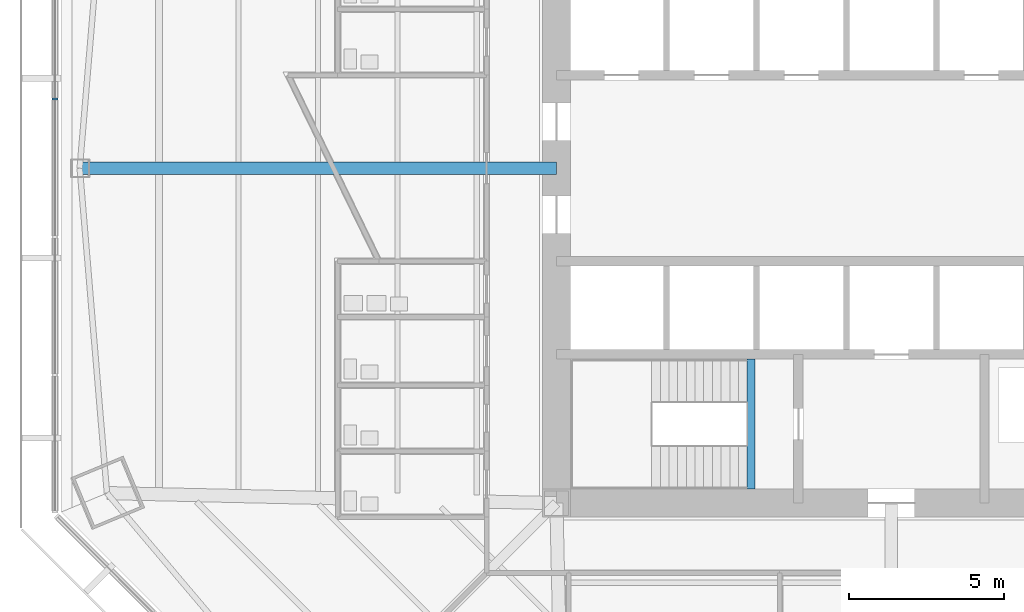
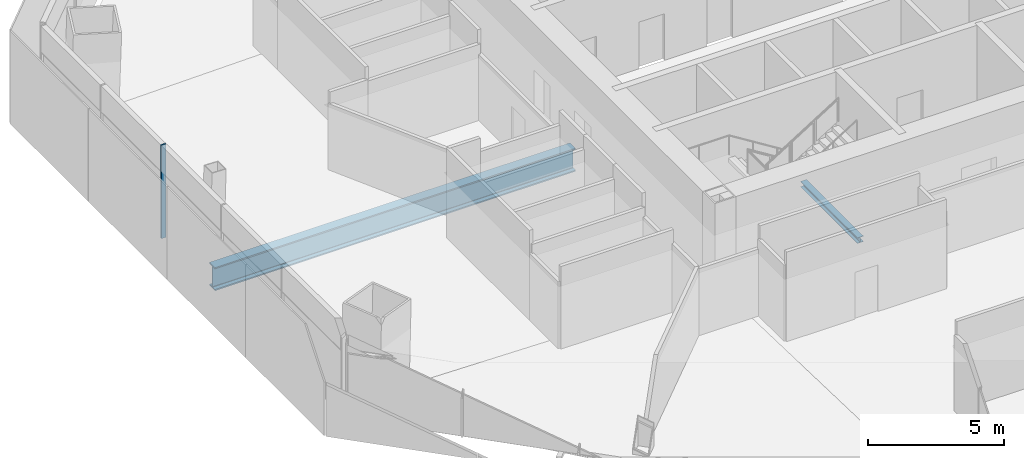
# One storey, part 3 of 15: 2 beams, 1 member, 1 element without a shape of its own.
"""IFC4 building model written with IfcOpenShell, lengths in metres."""

import ifcopenshell
import ifcopenshell.guid

model = None  # the IFC model being written
_history = None  # IfcOwnerHistory: only IFC2X3 demands one
_inside = {}  # id of a spatial element -> (the spatial element, [elements in it])
_under = {}  # id of a project, library or spatial element -> (it, [spatial elements below it])
_declared = {}  # id of a project -> (the project, [libraries it declares])
_typed = {}  # id of a type object -> (the type object, [elements of that type])
_made_of = {}  # id of a material, layer set ... -> (it, [elements and type objects made of it])


def new_model(schema):
    """Start an empty IFC model of exactly this schema.

    Asked for "IFC4X3", IfcOpenShell would pick the latest addendum, in which some entities
    have other attributes; the version numbers below select the first issue.
    IFC2X3 requires an IfcOwnerHistory on every rooted entity: one is made here for all.
    """
    global model, _history
    if schema == "IFC4X3":
        model = ifcopenshell.file(schema_version=(4, 3, 0, 0))
    else:
        model = ifcopenshell.file(schema=schema)
    _inside.clear()
    _under.clear()
    _declared.clear()
    _typed.clear()
    _made_of.clear()
    _history = None
    if model.schema == "IFC2X3":
        org = make("IfcOrganization", Name="unknown")
        user = make(
            "IfcPersonAndOrganization",
            ThePerson=make("IfcPerson", FamilyName="unknown"),
            TheOrganization=org,
        )
        app = make(
            "IfcApplication",
            ApplicationDeveloper=org,
            Version="unknown",
            ApplicationFullName="unknown",
            ApplicationIdentifier="unknown",
        )
        _history = make(
            "IfcOwnerHistory",
            OwningUser=user,
            OwningApplication=app,
            ChangeAction="ADDED",
            CreationDate=0,
        )
    return model


def make(cls, **values):
    """One entity of the class cls with the attributes given. An attribute that is None is left unset."""
    return model.create_entity(
        cls, **{name: value for name, value in values.items() if value is not None}
    )


def rooted(cls, **values):
    """An entity with a GlobalId (a new one), such as an element, a storey or a relation."""
    return make(cls, GlobalId=ifcopenshell.guid.new(), OwnerHistory=_history, **values)


def si_unit(unit_type, name, prefix=None):
    """IfcSIUnit, for example si_unit("LENGTHUNIT", "METRE", prefix="MILLI")."""
    return make("IfcSIUnit", UnitType=unit_type, Prefix=prefix, Name=name)


def assignment(units):
    """IfcUnitAssignment: the units of a project."""
    return None if units is None else make("IfcUnitAssignment", Units=units)


def point(xyz):
    """IfcCartesianPoint."""
    return None if xyz is None else make("IfcCartesianPoint", Coordinates=xyz)


def direction(xyz):
    """IfcDirection."""
    return None if xyz is None else make("IfcDirection", DirectionRatios=xyz)


def frame(location, z_axis=None, x_axis=None):
    """IfcAxis2Placement3D, a coordinate frame: its origin and axes. An axis left out is left unset."""
    return make(
        "IfcAxis2Placement3D",
        Location=point(location),
        Axis=direction(z_axis),
        RefDirection=direction(x_axis),
    )


def frame_2d(location, x_axis=None):
    """IfcAxis2Placement2D, a coordinate frame in the plane: its origin and x axis."""
    return make(
        "IfcAxis2Placement2D", Location=point(location), RefDirection=direction(x_axis)
    )


def origin():
    """The frame at (0, 0, 0) with its axes left unset."""
    return frame((0.0, 0.0, 0.0))


def origin_2d():
    """The frame at (0, 0) in the plane with its x axis left unset."""
    return frame_2d((0.0, 0.0))


def place(relative_to, where):
    """IfcLocalPlacement: puts the frame where relative to a parent placement (None: the world)."""
    return make(
        "IfcLocalPlacement", PlacementRelTo=relative_to, RelativePlacement=where
    )


def context(
    kind, dimensions, precision=None, world=None, true_north=None, identifier=None
):
    """IfcGeometricRepresentationContext, for example the 3D "Model" context."""
    return make(
        "IfcGeometricRepresentationContext",
        ContextIdentifier=identifier,
        ContextType=kind,
        CoordinateSpaceDimension=dimensions,
        Precision=precision,
        WorldCoordinateSystem=world,
        TrueNorth=true_north,
    )


def subcontext(parent, identifier, kind, view, scale=None):
    """IfcGeometricRepresentationSubContext, for example "Body" below "Model"."""
    return make(
        "IfcGeometricRepresentationSubContext",
        ContextIdentifier=identifier,
        ContextType=kind,
        ParentContext=parent,
        TargetScale=scale,
        TargetView=view,
    )


def project(units=None, contexts=None):
    """IfcProject with its units and contexts."""
    return rooted(
        "IfcProject",
        Name="project",
        RepresentationContexts=contexts,
        UnitsInContext=assignment(units),
    )


def spatial(cls, under=None, at=None, **own):
    """A site, building, storey or space (cls), placed at a placement, below another one or the project."""
    s = rooted(cls, ObjectPlacement=at, **own)
    if under is not None:
        _under.setdefault(under.id(), (under, []))[1].append(s)
    return s


def profile(cls, at=None, kind="AREA", **sizes):
    """A parametric profile (cls). Its sizes go by their IFC names, for example OverallWidth=200.0."""
    return make(cls, ProfileType=kind, Position=at, **sizes)


def rectangle(**sizes):
    """IfcRectangleProfileDef."""
    return profile("IfcRectangleProfileDef", **sizes)


def i_section(**sizes):
    """IfcIShapeProfileDef."""
    return profile("IfcIShapeProfileDef", **sizes)


def extrude(swept, where, along, depth):
    """IfcExtrudedAreaSolid: the profile swept, set in the frame where, extruded along a direction by depth."""
    return make(
        "IfcExtrudedAreaSolid",
        SweptArea=swept,
        Position=where,
        ExtrudedDirection=direction(along),
        Depth=depth,
    )


def shape(context_of_items, identifier, shape_type, items):
    """IfcShapeRepresentation: the items that make up one representation, for example the "Body"."""
    return make(
        "IfcShapeRepresentation",
        ContextOfItems=context_of_items,
        RepresentationIdentifier=identifier,
        RepresentationType=shape_type,
        Items=items,
    )


def source(mapping_origin, context_of_items, identifier, shape_type, items):
    """IfcRepresentationMap: a shape defined once, which mapped items show again and again."""
    return make(
        "IfcRepresentationMap",
        MappingOrigin=mapping_origin,
        MappedRepresentation=shape(context_of_items, identifier, shape_type, items),
    )


def transform(
    local_origin,
    x_axis=None,
    y_axis=None,
    z_axis=None,
    scale=None,
    scale2=None,
    scale3=None,
    uniform=True,
):
    """IfcCartesianTransformationOperator3D, or its non-uniform kind. x_axis, y_axis, z_axis: its Axis1, 2, 3."""
    if uniform:
        return make(
            "IfcCartesianTransformationOperator3D",
            Axis1=direction(x_axis),
            Axis2=direction(y_axis),
            LocalOrigin=point(local_origin),
            Scale=scale,
            Axis3=direction(z_axis),
        )
    return make(
        "IfcCartesianTransformationOperator3DnonUniform",
        Axis1=direction(x_axis),
        Axis2=direction(y_axis),
        LocalOrigin=point(local_origin),
        Scale=scale,
        Axis3=direction(z_axis),
        Scale2=scale2,
        Scale3=scale3,
    )


def mapped(mapping_source, mapping_target):
    """IfcMappedItem: shows the shape of a source again, moved by a transform."""
    return make(
        "IfcMappedItem", MappingSource=mapping_source, MappingTarget=mapping_target
    )


def material(Name=None, Category=None):
    """IfcMaterial."""
    return make("IfcMaterial", Name=Name, Category=Category)


def material_profile(
    of_material, cross_section, Name=None, Category=None, Priority=None
):
    """IfcMaterialProfile: a cross section and its material."""
    return make(
        "IfcMaterialProfile",
        Name=Name,
        Material=of_material,
        Profile=cross_section,
        Priority=Priority,
        Category=Category,
    )


def profile_set(profiles, Name=None, composite=None):
    """IfcMaterialProfileSet."""
    return make(
        "IfcMaterialProfileSet",
        Name=Name,
        MaterialProfiles=profiles,
        CompositeProfile=composite,
    )


def made_of(thing, what):
    """Note that an element or type object is made of a material, layer set ...; save() writes the relation."""
    if what is not None:
        _made_of.setdefault(what.id(), (what, []))[1].append(thing)
    return thing


def type_object(cls, material=None, **own):
    """A type object (cls), such as IfcWallType, which elements share."""
    return made_of(rooted(cls, **own), material)


def type_shapes(of_type, sources):
    """Give a type object the sources (RepresentationMaps) that its elements show as mapped items."""
    of_type.RepresentationMaps = sources


def element(
    cls,
    number,
    at=None,
    inside=None,
    cuts=None,
    type_object=None,
    material=None,
    context=None,
    identifier="Body",
    shape_type=None,
    held_by="IfcProductDefinitionShape",
    body=None,
    shapes=None,
    **own,
):
    """One element of the class cls, such as IfcWall. Its Tag is "e" and its number.

    at: its placement. inside: the storey or other place that contains it. cuts: it is an
    opening in that element (IfcRelVoidsElement). A single representation is given by context,
    identifier, shape_type and body (its items); several are given by shapes. held_by: the class
    of the entity that holds the representations. save() writes the other relations.
    """
    e = rooted(cls, Tag="e%d" % number, ObjectPlacement=at, **own)
    if body is not None:
        shapes = [shape(context, identifier, shape_type, body)]
    if shapes is not None:
        e.Representation = make(held_by, Representations=shapes)
    if inside is not None:
        _inside.setdefault(inside.id(), (inside, []))[1].append(e)
    if cuts is not None:
        rooted(
            "IfcRelVoidsElement", RelatingBuildingElement=cuts, RelatedOpeningElement=e
        )
    if type_object is not None:
        _typed.setdefault(type_object.id(), (type_object, []))[1].append(e)
    return made_of(e, material)


def aggregate(whole, parts):
    """IfcRelAggregates: a whole, such as a stair, and the parts it consists of."""
    return rooted("IfcRelAggregates", RelatingObject=whole, RelatedObjects=parts)


def save(model, path):
    """Write the relations noted so far, then the file.

    IfcRelAggregates (storeys below a building ...), IfcRelContainedInSpatialStructure (elements
    in a storey), IfcRelDefinesByType, IfcRelAssociatesMaterial and IfcRelDeclares: one each for
    every whole, place, type object, material and project.
    """
    for whole, parts in _under.values():
        aggregate(whole, parts)
    for where, things in _inside.values():
        rooted(
            "IfcRelContainedInSpatialStructure",
            RelatedElements=things,
            RelatingStructure=where,
        )
    for kind, things in _typed.values():
        rooted("IfcRelDefinesByType", RelatedObjects=things, RelatingType=kind)
    for what, things in _made_of.values():
        rooted("IfcRelAssociatesMaterial", RelatedObjects=things, RelatingMaterial=what)
    for by, libraries in _declared.values():
        rooted("IfcRelDeclares", RelatingContext=by, RelatedDefinitions=libraries)
    model.write(path)


model = new_model("IFC4")

# Units and contexts
model_context = context("Model", 3, precision=1e-05, world=origin(), true_north=direction((0.0, 1.0)))
body_context = subcontext(model_context, "Body", "Model", "MODEL_VIEW")
ifc_project = project(units=[si_unit("LENGTHUNIT", "METRE"), si_unit("AREAUNIT", "SQUARE_METRE"), si_unit("VOLUMEUNIT", "CUBIC_METRE"), si_unit("PLANEANGLEUNIT", "RADIAN"), si_unit("MASSUNIT", "GRAM", prefix="KILO")], contexts=[model_context])

# Site, building, storey
site_placement = place(None, origin())
site = spatial("IfcSite", under=ifc_project, at=site_placement, CompositionType="ELEMENT")
building_placement = place(site_placement, origin())
building = spatial("IfcBuilding", under=site, at=building_placement, Name="Mashrafa Tower", CompositionType="ELEMENT")
storey_placement = place(building_placement, frame((0.0, 0.0, 37.199951171875)))
storey = spatial("IfcBuildingStorey", under=building, at=storey_placement, Name="L07", CompositionType="ELEMENT", Elevation=37.199951171875)

# Beams
ifc_material_1 = material(Name="Steel ASTM A992", Category="steel")
ifc_material_profile_1 = material_profile(ifc_material_1, i_section(OverallWidth=0.408935546875, OverallDepth=1.04150390625, WebThickness=0.031005859375, FlangeThickness=0.055908203125, FilletRadius=0.020263671875, at=origin_2d()), Name="W40X397")
ifc_profile_set_1 = profile_set([ifc_material_profile_1], Name="Steel ASTM A992")
beam_type_1 = type_object("IfcBeamType", Name="Beam W40X397", PredefinedType="BEAM", material=ifc_profile_set_1)
beam_1_placement = place(storey_placement, frame((-10.800048828125, 0.0, -0.685546875), z_axis=(-1.0, 0.0, 0.0), x_axis=(0.0, -1.0, 0.0)))
element("IfcBeam", 1, at=beam_1_placement, inside=storey, type_object=beam_type_1, Name="Radial girder L07 068", PredefinedType="BEAM", context=body_context, shape_type="SweptSolid", body=[
    extrude(i_section(OverallWidth=0.408935546875, OverallDepth=1.04150390625, WebThickness=0.031005859375, FlangeThickness=0.055908203125, FilletRadius=0.020263671875, at=origin_2d()), origin(), (0.0, 0.0, 1.0), 15.366943359375),
])
ifc_material_2 = material(Name="Steel ASTM A992", Category="steel")
ifc_material_profile_2 = material_profile(ifc_material_2, i_section(OverallWidth=0.25390625, OverallDepth=0.25390625, WebThickness=0.008544921875, FlangeThickness=0.01416015625, FilletRadius=0.010009765625, at=origin_2d()), Name="W10X49")
ifc_profile_set_2 = profile_set([ifc_material_profile_2], Name="Steel ASTM A992")
beam_type_2 = type_object("IfcBeamType", Name="Hoistway beam W10X49", PredefinedType="BEAM", material=ifc_profile_set_2)
beam_2_placement = place(storey_placement, frame((-4.530029296875, -10.35009765625, -0.326904296875), z_axis=(0.0, 1.0, 0.0), x_axis=(-1.0, 0.0, 0.0)))
element("IfcBeam", 2, at=beam_2_placement, inside=storey, type_object=beam_type_2, Name="Stair S3 landing beam L07", PredefinedType="BEAM", context=body_context, shape_type="SweptSolid", body=[
    extrude(i_section(OverallWidth=0.25390625, OverallDepth=0.25390625, WebThickness=0.008544921875, FlangeThickness=0.01416015625, FilletRadius=0.010009765625, at=origin_2d()), origin(), (0.0, 0.0, 1.0), 4.2001953125),
])

# Curtain wall, member
ifc_material_3 = material(Name="Unitised aluminium curtain wall", Category="aluminium")
curtain_wall_type = type_object("IfcCurtainWallType", Name="Office curtain wall, zone 1 CW-A 200 deep", PredefinedType="NOTDEFINED", material=ifc_material_3)
curtain_wall_placement = place(storey_placement, origin())
curtain_wall = element("IfcCurtainWall", 3, at=curtain_wall_placement, inside=storey, type_object=curtain_wall_type, Name="Office curtain wall, zone 1 L07 west", PredefinedType="NOTDEFINED")
ifc_material_4 = material(Name="Extruded aluminium mullion", Category="aluminium")
ifc_material_profile_3 = material_profile(ifc_material_4, rectangle(XDim=0.199951171875, YDim=0.06494140625, at=origin_2d()), Name="Mullion 65x200")
ifc_profile_set_3 = profile_set([ifc_material_profile_3], Name="Extruded aluminium mullion")
member_type = type_object("IfcMemberType", Name="Mullion CW-A 65 x 200", PredefinedType="MULLION", material=ifc_profile_set_3)
shared_shape = source(origin(), body_context, "Body", "SweptSolid", [
    extrude(rectangle(XDim=0.199951171875, YDim=0.06494140625, at=origin_2d()), origin(), (0.0, 0.0, 1.0), 4.199951171875),
])
type_shapes(member_type, [shared_shape])
member_placement = place(storey_placement, frame((-26.96240234375, 2.223388671875, 0.0), z_axis=(0.0, 0.0, 1.0), x_axis=(1.0, 0.0, 0.0)))
member = element("IfcMember", 4, at=member_placement, type_object=member_type, Name="CW-A mullion 3", PredefinedType="MULLION", context=body_context, shape_type="MappedRepresentation", body=[
    mapped(shared_shape, transform((0.0, 0.0, 0.0))),
])
aggregate(curtain_wall, [member])

save(model, "model.ifc")
